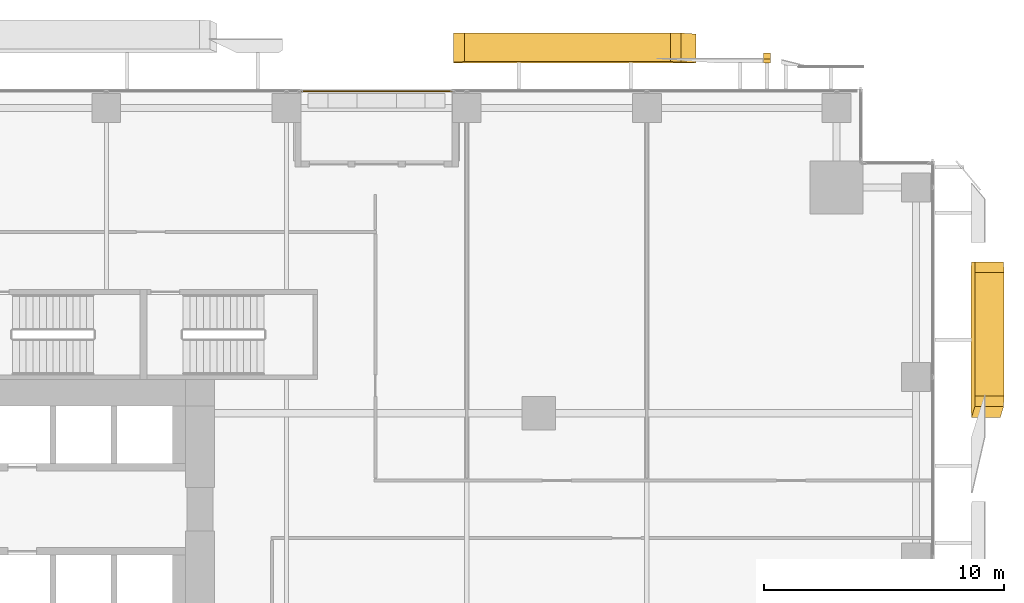
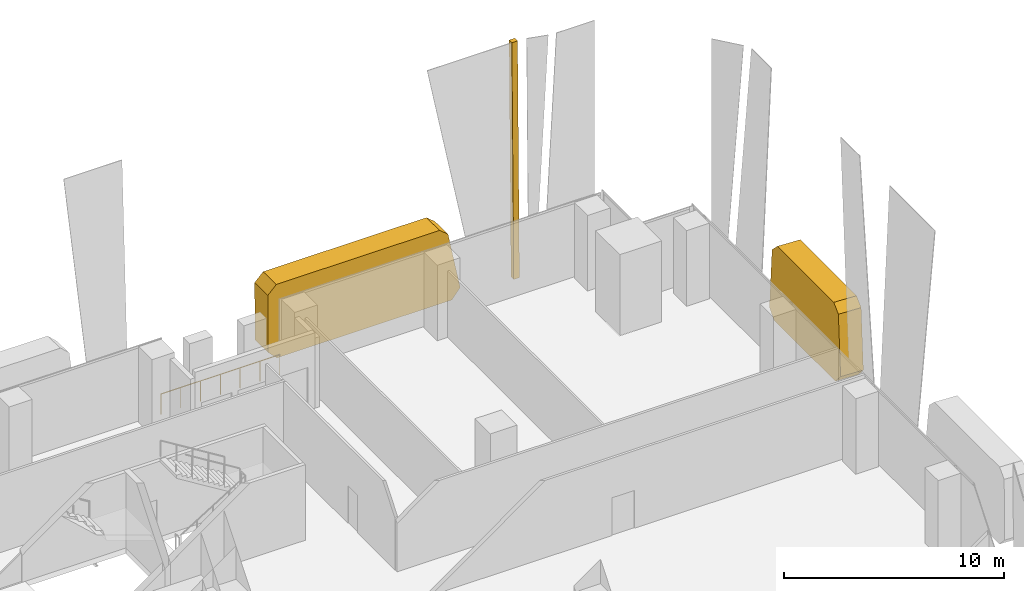
# One storey, part 35 of 36: 3 coverings, 1 railing.
"""IFC4 building model written with IfcOpenShell, lengths in metres."""

from ifc_helpers import new_model, si_unit, direction, frame, origin, origin_2d, place, context, subcontext, project, spatial, polyline, circle, outline, extrude, source, transform, mapped, material, layer, layer_set, type_object, element, save


model = new_model("IFC4")

# Units and contexts
model_context = context("Model", 3, precision=1e-05, world=origin(), true_north=direction((0.0, 1.0)))
body_context = subcontext(model_context, "Body", "Model", "MODEL_VIEW")
ifc_project = project(units=[si_unit("LENGTHUNIT", "METRE"), si_unit("AREAUNIT", "SQUARE_METRE"), si_unit("VOLUMEUNIT", "CUBIC_METRE"), si_unit("PLANEANGLEUNIT", "RADIAN"), si_unit("MASSUNIT", "GRAM", prefix="KILO")], contexts=[model_context])

# Site, building, storey
site_placement = place(None, origin())
site = spatial("IfcSite", under=ifc_project, at=site_placement, CompositionType="ELEMENT")
building_placement = place(site_placement, origin())
building = spatial("IfcBuilding", under=site, at=building_placement, Name="Khomas Fold Tower", CompositionType="ELEMENT")
storey_placement = place(building_placement, frame((0.0, 0.0, 46.5)))
storey = spatial("IfcBuildingStorey", under=building, at=storey_placement, Name="L09", CompositionType="ELEMENT", Elevation=46.5)

# Coverings
ifc_material_1 = material(Name="Natural stone cladding", Category="masonry")
ifc_layer_1 = layer(ifc_material_1, 0.25)
ifc_layer_set_1 = layer_set([ifc_layer_1], Name="Natural stone cladding")
covering_type_1 = type_object("IfcCoveringType", Name="SK-Karibib marble stone mullion", PredefinedType="CLADDING", material=ifc_layer_set_1)
covering_1_placement = place(storey_placement, frame((47.14990234375, 55.248779296875, 13.050048828125), z_axis=(0.0, -0.999913772879, 0.013131900334), x_axis=(0.0, -0.013131900334, -0.999913772879)))
element("IfcCovering", 1, at=covering_1_placement, inside=storey, type_object=covering_type_1, Name="OUTER SKIN mullion L09 NM107-8", PredefinedType="CLADDING", context=body_context, shape_type="SweptSolid", body=[
    extrude(outline(polyline([(0.0, 0.0), (13.051174193298111, 0.0), (13.051174193298111, -0.29980468749999994), (0.0, -0.29980468749999994), (0.0, 0.0)])), origin(), (0.0, 0.0, -1.0), 0.25),
])
ifc_material_2 = material(Name="Natural stone cladding", Category="masonry")
ifc_layer_2 = layer(ifc_material_2, 1.199951171875)
ifc_layer_set_2 = layer_set([ifc_layer_2], Name="Natural stone cladding")
covering_type_2 = type_object("IfcCoveringType", Name="SK-Karibib marble stone panel", PredefinedType="CLADDING", material=ifc_layer_set_2)
covering_2_placement = place(storey_placement, frame((55.64892578125, 46.800048828125, 3.60009765625), z_axis=(-0.9990412385, 9.890398e-06, 0.043779032405), x_axis=(-0.043779032407, 3.24e-10, -0.999041238549)))
element("IfcCovering", 2, at=covering_2_placement, inside=storey, type_object=covering_type_2, Name="OUTER SKIN leaf L09 ES09-3", PredefinedType="CLADDING", context=body_context, shape_type="SweptSolid", body=[
    extrude(outline(polyline([(0.0, 0.0), (3.1531651011493205, 2.117582368135751e-22), (3.603550624507326, 0.44995117257241235), (3.603550622701687, 6.030029297299491), (3.0901196378960845, 6.475830078525631), (-0.0628015565571539, 6.031738281566719), (-0.4503855253111393, 5.585937499007372), (-0.4503855236492022, 0.44995117113357336), (0.0, 0.0)])), origin(), (0.0, 0.0, -1.0), 1.199951171875),
])
covering_3_placement = place(storey_placement, frame((33.949951171875, 55.083251953125, 0.449951171875), z_axis=(-3.250952e-06, -0.999913674832, 0.013139363546), x_axis=(-1.13e-10, 0.013139363546, 0.999913674837)))
element("IfcCovering", 3, at=covering_3_placement, inside=storey, type_object=covering_type_2, Name="OUTER SKIN leaf L09 NS08-2", PredefinedType="CLADDING", context=body_context, shape_type="SweptSolid", body=[
    extrude(outline(polyline([(0.0, 0.0), (3.150419882378386, 2.6469779601696886e-23), (3.6004092005525163, -0.44995117209638347), (3.600409199583678, -9.031738281426033), (3.2368510332489318, -9.473388672351929), (0.08643435865332404, -10.090332030930048), (-0.44998931931421177, -9.648681640350249), (-0.4499893182757241, -0.449951171648861), (0.0, 0.0)])), origin(), (0.0, 0.0, -1.0), 1.199951171875),
])

# Railing
ifc_material_3 = material(Name="Powder-coated steel", Category="steel")
railing_type = type_object("IfcRailingType", Name="Balcony guard", PredefinedType="GUARDRAIL", material=ifc_material_3)
shared_shape = source(origin(), body_context, "Body", "SweptSolid", [
    extrude(circle(Radius=0.02490234375, at=origin_2d()), frame((0.0, 0.0, 1.125), z_axis=(1.0, 0.0, 0.0), x_axis=(0.0, 1.0, 0.0)), (0.0, 0.0, 1.0), 6.240234375),
    extrude(circle(Radius=0.02001953125, at=origin_2d()), origin(), (0.0, 0.0, 1.0), 1.099853515625),
    extrude(circle(Radius=0.02001953125, at=origin_2d()), frame((1.0400390625, 0.0, 0.0)), (0.0, 0.0, 1.0), 1.099853515625),
    extrude(circle(Radius=0.02001953125, at=origin_2d()), frame((2.080078125, 0.0, 0.0)), (0.0, 0.0, 1.0), 1.099853515625),
    extrude(circle(Radius=0.02001953125, at=origin_2d()), frame((3.1201171875, 0.0, 0.0)), (0.0, 0.0, 1.0), 1.099853515625),
    extrude(circle(Radius=0.02001953125, at=origin_2d()), frame((4.16015625, 0.0, 0.0)), (0.0, 0.0, 1.0), 1.099853515625),
    extrude(circle(Radius=0.02001953125, at=origin_2d()), frame((5.2001953125, 0.0, 0.0)), (0.0, 0.0, 1.0), 1.099853515625),
    extrude(circle(Radius=0.02001953125, at=origin_2d()), frame((6.240234375, 0.0, 0.0)), (0.0, 0.0, 1.0), 1.099853515625),
])
railing_placement = place(storey_placement, frame((27.6298828125, 53.89990234375, -0.044921875)))
element("IfcRailing", 4, at=railing_placement, inside=storey, type_object=railing_type, Name="Balcony guard BAL-L09-N3", PredefinedType="GUARDRAIL", context=body_context, shape_type="MappedRepresentation", body=[
    mapped(shared_shape, transform((0.0, 0.0, 0.0))),
])

save(model, "model.ifc")
